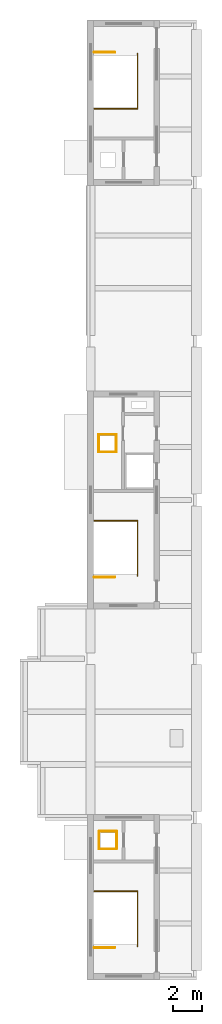
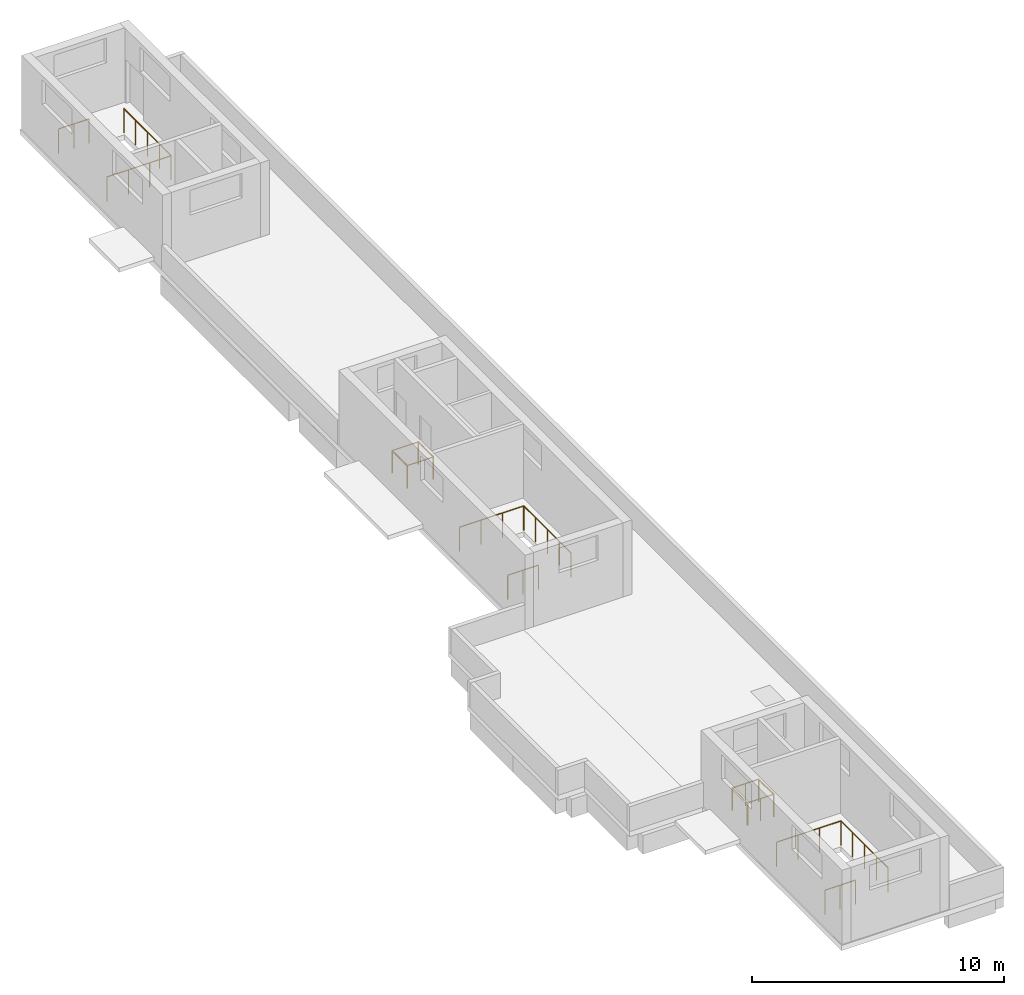
# One storey, part 4 of 4: 14 railings.
"""IFC4 building model written with IfcOpenShell, lengths in metres."""

from ifc_helpers import new_model, si_unit, direction, frame, origin, origin_2d, place, context, subcontext, project, spatial, circle, extrude, material, type_object, element, save


model = new_model("IFC4")

# Units and contexts
model_context = context("Model", 3, precision=1e-05, world=origin(), true_north=direction((0.0, 1.0)))
body_context = subcontext(model_context, "Body", "Model", "MODEL_VIEW")
ifc_project = project(units=[si_unit("LENGTHUNIT", "METRE"), si_unit("AREAUNIT", "SQUARE_METRE"), si_unit("VOLUMEUNIT", "CUBIC_METRE"), si_unit("PLANEANGLEUNIT", "RADIAN"), si_unit("MASSUNIT", "GRAM", prefix="KILO")], contexts=[model_context])

# Site, building, storey
site_placement = place(None, origin())
site = spatial("IfcSite", under=ifc_project, at=site_placement, CompositionType="ELEMENT")
building_placement = place(site_placement, origin())
building = spatial("IfcBuilding", under=site, at=building_placement, Name="Basin Gate Institute", CompositionType="ELEMENT")
storey_placement = place(building_placement, frame((0.0, 0.0, 75.0)))
storey = spatial("IfcBuildingStorey", under=building, at=storey_placement, Name="RF", CompositionType="ELEMENT", Elevation=75.0)

# Railings
ifc_material_1 = material(Name="Galvanised steel tube and mesh infill", Category="steel")
railing_type_1 = type_object("IfcRailingType", Name="Duct opening guard RL-D", PredefinedType="GUARDRAIL", material=ifc_material_1)
railing_1_placement = place(storey_placement, frame((61.77490234375, 43.762451171875, 0.14990234375)))
element("IfcRailing", 1, at=railing_1_placement, inside=storey, type_object=railing_type_1, material=ifc_material_1, Name="Duct opening guard RL-D Exhaust Fan Room WS 1", PredefinedType="GUARDRAIL", context=body_context, shape_type="SweptSolid", body=[
    extrude(circle(Radius=0.02392578125, at=origin_2d()), frame((0.0, 0.0, 1.076171875), z_axis=(1.0, 0.0, 0.0), x_axis=(0.0, 1.0, 0.0)), (0.0, 0.0, 1.0), 1.2001953125),
    extrude(circle(Radius=0.02099609375, at=origin_2d()), origin(), (0.0, 0.0, 1.0), 1.052001953125),
    extrude(circle(Radius=0.02099609375, at=origin_2d()), frame((0.60009765625, 0.0, 0.0)), (0.0, 0.0, 1.0), 1.052001953125),
    extrude(circle(Radius=0.02099609375, at=origin_2d()), frame((1.2001953125, 0.0, 0.0)), (0.0, 0.0, 1.0), 1.052001953125),
])
railing_2_placement = place(storey_placement, frame((62.97509765625, 43.762451171875, 0.14990234375)))
element("IfcRailing", 2, at=railing_2_placement, inside=storey, type_object=railing_type_1, material=ifc_material_1, Name="Duct opening guard RL-D Exhaust Fan Room WS 2", PredefinedType="GUARDRAIL", context=body_context, shape_type="SweptSolid", body=[
    extrude(circle(Radius=0.02392578125, at=origin_2d()), frame((0.0, 0.0, 1.076171875), z_axis=(0.0, 1.0, 0.0), x_axis=(-1.0, 0.0, 0.0)), (0.0, 0.0, 1.0), 1.199951171875),
    extrude(circle(Radius=0.02099609375, at=origin_2d()), origin(), (0.0, 0.0, 1.0), 1.052001953125),
    extrude(circle(Radius=0.02099609375, at=origin_2d()), frame((0.0, 1.199951171875, 0.0)), (0.0, 0.0, 1.0), 1.052001953125),
])
railing_3_placement = place(storey_placement, frame((62.97509765625, 44.96240234375, 0.14990234375)))
element("IfcRailing", 3, at=railing_3_placement, inside=storey, type_object=railing_type_1, material=ifc_material_1, Name="Duct opening guard RL-D Exhaust Fan Room WS 3", PredefinedType="GUARDRAIL", context=body_context, shape_type="SweptSolid", body=[
    extrude(circle(Radius=0.02392578125, at=origin_2d()), frame((0.0, 0.0, 1.076171875), z_axis=(-1.0, 0.0, 0.0), x_axis=(0.0, -1.0, 0.0)), (0.0, 0.0, 1.0), 1.2001953125),
    extrude(circle(Radius=0.02099609375, at=origin_2d()), origin(), (0.0, 0.0, 1.0), 1.052001953125),
    extrude(circle(Radius=0.02099609375, at=origin_2d()), frame((-0.60009765625, 0.0, 0.0)), (0.0, 0.0, 1.0), 1.052001953125),
    extrude(circle(Radius=0.02099609375, at=origin_2d()), frame((-1.2001953125, 0.0, 0.0)), (0.0, 0.0, 1.0), 1.052001953125),
])
railing_4_placement = place(storey_placement, frame((61.77490234375, 44.96240234375, 0.14990234375)))
element("IfcRailing", 4, at=railing_4_placement, inside=storey, type_object=railing_type_1, material=ifc_material_1, Name="Duct opening guard RL-D Exhaust Fan Room WS 4", PredefinedType="GUARDRAIL", context=body_context, shape_type="SweptSolid", body=[
    extrude(circle(Radius=0.02392578125, at=origin_2d()), frame((0.0, 0.0, 1.076171875), z_axis=(0.0, -1.0, 0.0), x_axis=(1.0, 0.0, 0.0)), (0.0, 0.0, 1.0), 1.199951171875),
    extrude(circle(Radius=0.02099609375, at=origin_2d()), origin(), (0.0, 0.0, 1.0), 1.052001953125),
    extrude(circle(Radius=0.02099609375, at=origin_2d()), frame((0.0, -1.199951171875, 0.0)), (0.0, 0.0, 1.0), 1.052001953125),
])
railing_5_placement = place(storey_placement, frame((61.75, 70.762451171875, 0.14990234375)))
element("IfcRailing", 5, at=railing_5_placement, inside=storey, type_object=railing_type_1, material=ifc_material_1, Name="Duct opening guard RL-D Exhaust Fan Room WM 1", PredefinedType="GUARDRAIL", context=body_context, shape_type="SweptSolid", body=[
    extrude(circle(Radius=0.02392578125, at=origin_2d()), frame((0.0, 0.0, 1.076171875), z_axis=(1.0, 0.0, 0.0), x_axis=(0.0, 1.0, 0.0)), (0.0, 0.0, 1.0), 1.199951171875),
    extrude(circle(Radius=0.02099609375, at=origin_2d()), origin(), (0.0, 0.0, 1.0), 1.052001953125),
    extrude(circle(Radius=0.02099609375, at=origin_2d()), frame((1.199951171875, 0.0, 0.0)), (0.0, 0.0, 1.0), 1.052001953125),
])
railing_6_placement = place(storey_placement, frame((62.949951171875, 70.762451171875, 0.14990234375)))
element("IfcRailing", 6, at=railing_6_placement, inside=storey, type_object=railing_type_1, material=ifc_material_1, Name="Duct opening guard RL-D Exhaust Fan Room WM 2", PredefinedType="GUARDRAIL", context=body_context, shape_type="SweptSolid", body=[
    extrude(circle(Radius=0.02392578125, at=origin_2d()), frame((0.0, 0.0, 1.076171875), z_axis=(0.0, 1.0, 0.0), x_axis=(-1.0, 0.0, 0.0)), (0.0, 0.0, 1.0), 1.199951171875),
    extrude(circle(Radius=0.02099609375, at=origin_2d()), origin(), (0.0, 0.0, 1.0), 1.052001953125),
    extrude(circle(Radius=0.02099609375, at=origin_2d()), frame((0.0, 1.199951171875, 0.0)), (0.0, 0.0, 1.0), 1.052001953125),
])
railing_7_placement = place(storey_placement, frame((62.949951171875, 71.96240234375, 0.14990234375)))
element("IfcRailing", 7, at=railing_7_placement, inside=storey, type_object=railing_type_1, material=ifc_material_1, Name="Duct opening guard RL-D Exhaust Fan Room WM 3", PredefinedType="GUARDRAIL", context=body_context, shape_type="SweptSolid", body=[
    extrude(circle(Radius=0.02392578125, at=origin_2d()), frame((0.0, 0.0, 1.076171875), z_axis=(-1.0, 0.0, 0.0), x_axis=(0.0, -1.0, 0.0)), (0.0, 0.0, 1.0), 1.199951171875),
    extrude(circle(Radius=0.02099609375, at=origin_2d()), origin(), (0.0, 0.0, 1.0), 1.052001953125),
    extrude(circle(Radius=0.02099609375, at=origin_2d()), frame((-1.199951171875, 0.0, 0.0)), (0.0, 0.0, 1.0), 1.052001953125),
])
railing_8_placement = place(storey_placement, frame((61.75, 71.96240234375, 0.14990234375)))
element("IfcRailing", 8, at=railing_8_placement, inside=storey, type_object=railing_type_1, material=ifc_material_1, Name="Duct opening guard RL-D Exhaust Fan Room WM 4", PredefinedType="GUARDRAIL", context=body_context, shape_type="SweptSolid", body=[
    extrude(circle(Radius=0.02392578125, at=origin_2d()), frame((0.0, 0.0, 1.076171875), z_axis=(0.0, -1.0, 0.0), x_axis=(1.0, 0.0, 0.0)), (0.0, 0.0, 1.0), 1.199951171875),
    extrude(circle(Radius=0.02099609375, at=origin_2d()), origin(), (0.0, 0.0, 1.0), 1.052001953125),
    extrude(circle(Radius=0.02099609375, at=origin_2d()), frame((0.0, -1.199951171875, 0.0)), (0.0, 0.0, 1.0), 1.052001953125),
])
ifc_material_2 = material(Name="Stainless steel", Category="steel")
railing_type_2 = type_object("IfcRailingType", Name="Stair guard GR2", PredefinedType="GUARDRAIL", material=ifc_material_2)
railing_9_placement = place(storey_placement, frame((64.39990234375, 37.1298828125, 0.0)))
element("IfcRailing", 9, at=railing_9_placement, inside=storey, type_object=railing_type_2, material=ifc_material_2, Name="Stair guard GR2 WS GD3-L14", PredefinedType="GUARDRAIL", context=body_context, shape_type="SweptSolid", body=[
    extrude(circle(Radius=0.02392578125, at=origin_2d()), frame((0.0, 0.0, 1.17578125), z_axis=(0.0, 1.0, 0.0), x_axis=(-1.0, 0.0, 0.0)), (0.0, 0.0, 1.0), 3.760009765625),
    extrude(circle(Radius=0.02392578125, at=origin_2d()), frame((0.0, 3.760009765625, 1.17578125), z_axis=(-1.0, 0.0, 0.0), x_axis=(0.0, -1.0, 0.0)), (0.0, 0.0, 1.0), 2.949951171875),
    extrude(circle(Radius=0.02099609375, at=origin_2d()), origin(), (0.0, 0.0, 1.0), 1.15185546875),
    extrude(circle(Radius=0.02099609375, at=origin_2d()), frame((0.0, 0.93994140625, 0.0)), (0.0, 0.0, 1.0), 1.15185546875),
    extrude(circle(Radius=0.02099609375, at=origin_2d()), frame((0.0, 1.8798828125, 0.0)), (0.0, 0.0, 1.0), 1.15185546875),
    extrude(circle(Radius=0.02099609375, at=origin_2d()), frame((0.0, 2.820068359375, 0.0)), (0.0, 0.0, 1.0), 1.15185546875),
    extrude(circle(Radius=0.02099609375, at=origin_2d()), frame((0.0, 3.760009765625, 0.0)), (0.0, 0.0, 1.0), 1.15185546875),
    extrude(circle(Radius=0.02099609375, at=origin_2d()), frame((-0.9833984375, 3.760009765625, 0.0)), (0.0, 0.0, 1.0), 1.15185546875),
    extrude(circle(Radius=0.02099609375, at=origin_2d()), frame((-1.966552734375, 3.760009765625, 0.0)), (0.0, 0.0, 1.0), 1.15185546875),
    extrude(circle(Radius=0.02099609375, at=origin_2d()), frame((-2.949951171875, 3.760009765625, 0.0)), (0.0, 0.0, 1.0), 1.15185546875),
])
railing_10_placement = place(storey_placement, frame((61.449951171875, 37.050048828125, 0.0)))
element("IfcRailing", 10, at=railing_10_placement, inside=storey, type_object=railing_type_2, material=ifc_material_2, Name="Stair guard GR2 WS GD4-L14", PredefinedType="GUARDRAIL", context=body_context, shape_type="SweptSolid", body=[
    extrude(circle(Radius=0.02392578125, at=origin_2d()), frame((0.0, 0.0, 1.17578125), z_axis=(1.0, 0.0, 0.0), x_axis=(0.0, 1.0, 0.0)), (0.0, 0.0, 1.0), 1.400146484375),
    extrude(circle(Radius=0.02099609375, at=origin_2d()), origin(), (0.0, 0.0, 1.0), 1.15185546875),
    extrude(circle(Radius=0.02099609375, at=origin_2d()), frame((0.7001953125, 0.0, 0.0)), (0.0, 0.0, 1.0), 1.15185546875),
    extrude(circle(Radius=0.02099609375, at=origin_2d()), frame((1.400146484375, 0.0, 0.0)), (0.0, 0.0, 1.0), 1.15185546875),
])
railing_11_placement = place(storey_placement, frame((64.39990234375, 62.330078125, 0.0)))
element("IfcRailing", 11, at=railing_11_placement, inside=storey, type_object=railing_type_2, material=ifc_material_2, Name="Stair guard GR2 WM GD3-L14", PredefinedType="GUARDRAIL", context=body_context, shape_type="SweptSolid", body=[
    extrude(circle(Radius=0.02392578125, at=origin_2d()), frame((0.0, 0.0, 1.17578125), z_axis=(0.0, 1.0, 0.0), x_axis=(-1.0, 0.0, 0.0)), (0.0, 0.0, 1.0), 3.760009765625),
    extrude(circle(Radius=0.02392578125, at=origin_2d()), frame((0.0, 3.760009765625, 1.17578125), z_axis=(-1.0, 0.0, 0.0), x_axis=(0.0, -1.0, 0.0)), (0.0, 0.0, 1.0), 2.949951171875),
    extrude(circle(Radius=0.02099609375, at=origin_2d()), origin(), (0.0, 0.0, 1.0), 1.15185546875),
    extrude(circle(Radius=0.02099609375, at=origin_2d()), frame((0.0, 0.93994140625, 0.0)), (0.0, 0.0, 1.0), 1.15185546875),
    extrude(circle(Radius=0.02099609375, at=origin_2d()), frame((0.0, 1.8798828125, 0.0)), (0.0, 0.0, 1.0), 1.15185546875),
    extrude(circle(Radius=0.02099609375, at=origin_2d()), frame((0.0, 2.820068359375, 0.0)), (0.0, 0.0, 1.0), 1.15185546875),
    extrude(circle(Radius=0.02099609375, at=origin_2d()), frame((0.0, 3.760009765625, 0.0)), (0.0, 0.0, 1.0), 1.15185546875),
    extrude(circle(Radius=0.02099609375, at=origin_2d()), frame((-0.9833984375, 3.760009765625, 0.0)), (0.0, 0.0, 1.0), 1.15185546875),
    extrude(circle(Radius=0.02099609375, at=origin_2d()), frame((-1.966552734375, 3.760009765625, 0.0)), (0.0, 0.0, 1.0), 1.15185546875),
    extrude(circle(Radius=0.02099609375, at=origin_2d()), frame((-2.949951171875, 3.760009765625, 0.0)), (0.0, 0.0, 1.0), 1.15185546875),
])
railing_12_placement = place(storey_placement, frame((61.449951171875, 62.25, 0.0)))
element("IfcRailing", 12, at=railing_12_placement, inside=storey, type_object=railing_type_2, material=ifc_material_2, Name="Stair guard GR2 WM GD4-L14", PredefinedType="GUARDRAIL", context=body_context, shape_type="SweptSolid", body=[
    extrude(circle(Radius=0.02392578125, at=origin_2d()), frame((0.0, 0.0, 1.17578125), z_axis=(1.0, 0.0, 0.0), x_axis=(0.0, 1.0, 0.0)), (0.0, 0.0, 1.0), 1.400146484375),
    extrude(circle(Radius=0.02099609375, at=origin_2d()), origin(), (0.0, 0.0, 1.0), 1.15185546875),
    extrude(circle(Radius=0.02099609375, at=origin_2d()), frame((0.7001953125, 0.0, 0.0)), (0.0, 0.0, 1.0), 1.15185546875),
    extrude(circle(Radius=0.02099609375, at=origin_2d()), frame((1.400146484375, 0.0, 0.0)), (0.0, 0.0, 1.0), 1.15185546875),
])
railing_13_placement = place(storey_placement, frame((64.39990234375, 97.8701171875, 0.0)))
element("IfcRailing", 13, at=railing_13_placement, inside=storey, type_object=railing_type_2, material=ifc_material_2, Name="Stair guard GR2 WN GD3-L14", PredefinedType="GUARDRAIL", context=body_context, shape_type="SweptSolid", body=[
    extrude(circle(Radius=0.02392578125, at=origin_2d()), frame((0.0, 0.0, 1.17578125), z_axis=(0.0, -1.0, 0.0), x_axis=(1.0, 0.0, 0.0)), (0.0, 0.0, 1.0), 3.760009765625),
    extrude(circle(Radius=0.02392578125, at=origin_2d()), frame((0.0, -3.760009765625, 1.17578125), z_axis=(-1.0, 0.0, 0.0), x_axis=(0.0, -1.0, 0.0)), (0.0, 0.0, 1.0), 2.949951171875),
    extrude(circle(Radius=0.02099609375, at=origin_2d()), origin(), (0.0, 0.0, 1.0), 1.15185546875),
    extrude(circle(Radius=0.02099609375, at=origin_2d()), frame((0.0, -0.93994140625, 0.0)), (0.0, 0.0, 1.0), 1.15185546875),
    extrude(circle(Radius=0.02099609375, at=origin_2d()), frame((0.0, -1.8798828125, 0.0)), (0.0, 0.0, 1.0), 1.15185546875),
    extrude(circle(Radius=0.02099609375, at=origin_2d()), frame((0.0, -2.820068359375, 0.0)), (0.0, 0.0, 1.0), 1.15185546875),
    extrude(circle(Radius=0.02099609375, at=origin_2d()), frame((0.0, -3.760009765625, 0.0)), (0.0, 0.0, 1.0), 1.15185546875),
    extrude(circle(Radius=0.02099609375, at=origin_2d()), frame((-0.9833984375, -3.760009765625, 0.0)), (0.0, 0.0, 1.0), 1.15185546875),
    extrude(circle(Radius=0.02099609375, at=origin_2d()), frame((-1.966552734375, -3.760009765625, 0.0)), (0.0, 0.0, 1.0), 1.15185546875),
    extrude(circle(Radius=0.02099609375, at=origin_2d()), frame((-2.949951171875, -3.760009765625, 0.0)), (0.0, 0.0, 1.0), 1.15185546875),
])
railing_14_placement = place(storey_placement, frame((61.449951171875, 97.949951171875, 0.0)))
element("IfcRailing", 14, at=railing_14_placement, inside=storey, type_object=railing_type_2, material=ifc_material_2, Name="Stair guard GR2 WN GD4-L14", PredefinedType="GUARDRAIL", context=body_context, shape_type="SweptSolid", body=[
    extrude(circle(Radius=0.02392578125, at=origin_2d()), frame((0.0, 0.0, 1.17578125), z_axis=(1.0, 0.0, 0.0), x_axis=(0.0, 1.0, 0.0)), (0.0, 0.0, 1.0), 1.400146484375),
    extrude(circle(Radius=0.02099609375, at=origin_2d()), origin(), (0.0, 0.0, 1.0), 1.15185546875),
    extrude(circle(Radius=0.02099609375, at=origin_2d()), frame((0.7001953125, 0.0, 0.0)), (0.0, 0.0, 1.0), 1.15185546875),
    extrude(circle(Radius=0.02099609375, at=origin_2d()), frame((1.400146484375, 0.0, 0.0)), (0.0, 0.0, 1.0), 1.15185546875),
])

save(model, "model.ifc")
